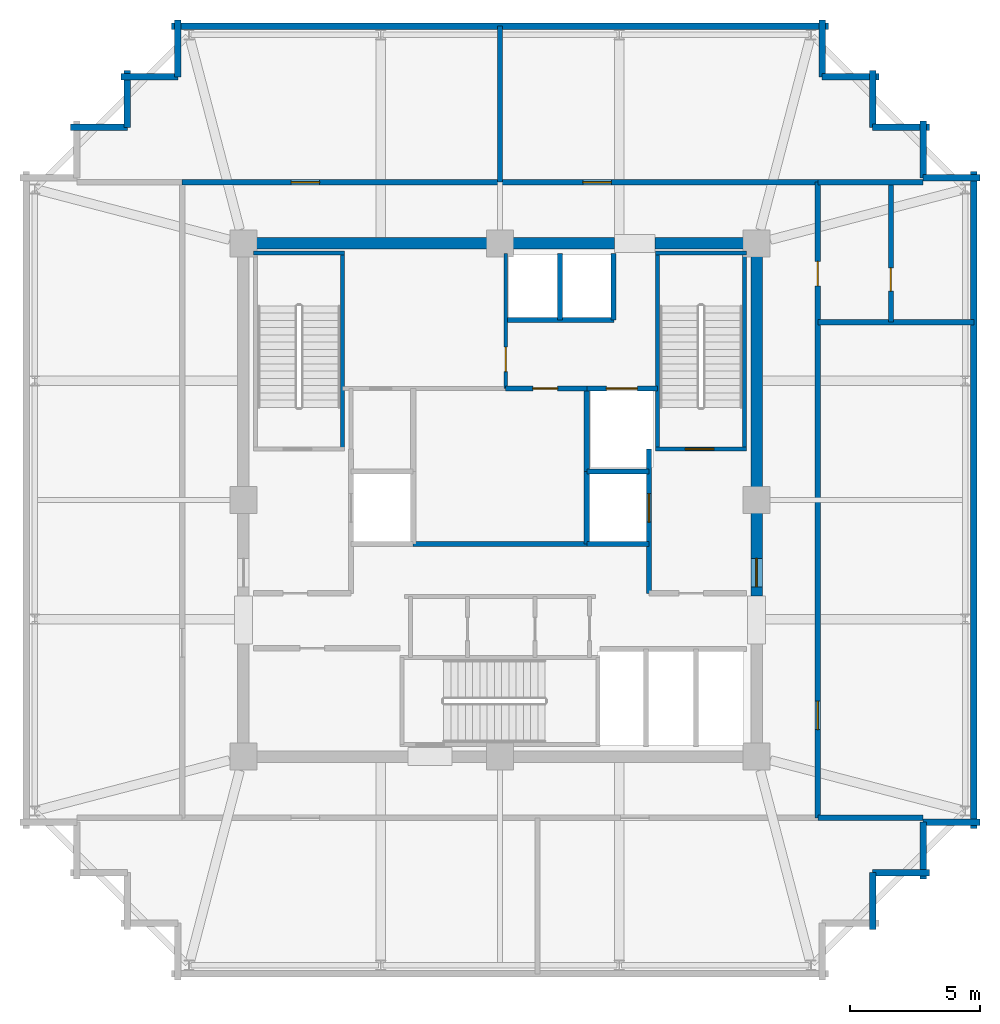
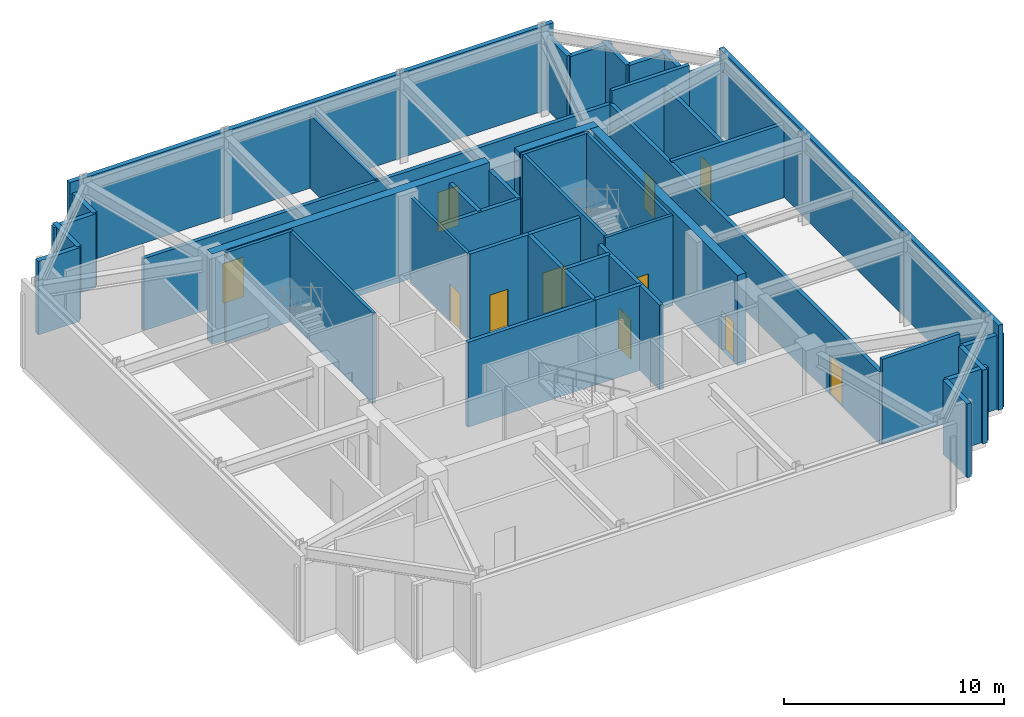
# One storey, part 3 of 5: 44 walls, 11 doors, 11 openings.
"""IFC4 building model written with IfcOpenShell, lengths in metres."""

from ifc_helpers import new_model, si_unit, direction, frame, frame_2d, origin, place, context, subcontext, project, spatial, rectangle, extrude, material, layer, layer_set, type_object, element, fill, save


model = new_model("IFC4")

# Units and contexts
model_context = context("Model", 3, precision=1e-05, world=origin(), true_north=direction((0.0, 1.0)))
body_context = subcontext(model_context, "Body", "Model", "MODEL_VIEW")
ifc_project = project(units=[si_unit("LENGTHUNIT", "METRE"), si_unit("AREAUNIT", "SQUARE_METRE"), si_unit("VOLUMEUNIT", "CUBIC_METRE"), si_unit("PLANEANGLEUNIT", "RADIAN"), si_unit("MASSUNIT", "GRAM", prefix="KILO")], contexts=[model_context])

# Site, building, storey
site_placement = place(None, origin())
site = spatial("IfcSite", under=ifc_project, at=site_placement, CompositionType="ELEMENT")
building_placement = place(site_placement, origin())
building = spatial("IfcBuilding", under=site, at=building_placement, Name="Kolvaren Belvedere", CompositionType="ELEMENT")
storey_placement = place(building_placement, frame((0.0, 0.0, 272.39990234375)))
storey = spatial("IfcBuildingStorey", under=building, at=storey_placement, Name="L78", CompositionType="ELEMENT", Elevation=272.39990234375)

# Walls
ifc_material_1 = material(Name="Concrete C50/60", Category="concrete")
ifc_layer_1 = layer(ifc_material_1, 0.449951171875)
ifc_layer_set_1 = layer_set([ifc_layer_1], Name="Concrete C50/60")
wall_type_1 = type_object("IfcWallType", Name="CW-CORE-450", PredefinedType="SHEAR", material=ifc_layer_set_1)
wall_1_placement = place(storey_placement, frame((-10.125, 9.89990234375, 0.0), z_axis=(0.0, 0.0, 1.0), x_axis=(1.0, 0.0, 0.0)))
element("IfcWall", 1, at=wall_1_placement, inside=storey, type_object=wall_type_1, Name="L78 North Core Shear Wall 1", PredefinedType="SHEAR", context=body_context, shape_type="SweptSolid", body=[
    extrude(rectangle(XDim=14.544921875, YDim=0.449951171875, at=frame_2d((7.2724609375, 0.0))), origin(), (0.0, 0.0, 1.0), 5.0),
])
wall_2_placement = place(storey_placement, frame((5.97998046875, 9.89990234375, 0.0), z_axis=(0.0, 0.0, 1.0), x_axis=(1.0, 0.0, 0.0)))
element("IfcWall", 2, at=wall_2_placement, inside=storey, type_object=wall_type_1, Name="L78 North Core Shear Wall 2", PredefinedType="SHEAR", context=body_context, shape_type="SweptSolid", body=[
    extrude(rectangle(XDim=4.14501953125, YDim=0.449951171875, at=frame_2d((2.072509765625, 0.0))), origin(), (0.0, 0.0, 1.0), 5.0),
])

# Wall, opening, door
wall_3_placement = place(storey_placement, frame((9.89990234375, -3.699951171875, 0.0), z_axis=(0.0, 0.0, 1.0), x_axis=(0.0, 1.0, 0.0)))
wall_3 = element("IfcWall", 3, at=wall_3_placement, inside=storey, type_object=wall_type_1, Name="L78 East Core Shear Wall 2", PredefinedType="SHEAR", context=body_context, shape_type="SweptSolid", body=[
    extrude(rectangle(XDim=13.375, YDim=0.449951171875, at=frame_2d((6.6875, 0.0))), origin(), (0.0, 0.0, 1.0), 5.0),
])
opening_1_placement = place(wall_3_placement, frame((0.35009765625, 0.0, 0.0)))
opening_1 = element("IfcOpeningElement", 4, at=opening_1_placement, cuts=wall_3, Name="Opening D-FD90", PredefinedType="OPENING", context=body_context, shape_type="SweptSolid", body=[
    extrude(rectangle(XDim=1.10009765625, YDim=2.199951171875, at=frame_2d((0.550048828125, 1.10009765625))), frame((0.0, 0.23486328125, 0.0), z_axis=(0.0, -1.0, 0.0), x_axis=(1.0, 0.0, 0.0)), (0.0, 0.0, 1.0), 0.469970703125),
])
ifc_material_2 = material(Name="Painted hollow stainless steel", Category="steel")
door_type_1 = type_object("IfcDoorType", Name="DR-FD90-1100", OperationType="NOTDEFINED", PredefinedType="DOOR", material=ifc_material_2)
door_1_placement = place(opening_1_placement, origin())
door_1 = element("IfcDoor", 5, at=door_1_placement, inside=storey, type_object=door_type_1, Name="L78 East Firefighting Lobby Fire Door", OperationType="SINGLE_SWING_RIGHT", OverallHeight=2.199951171875, OverallWidth=1.10009765625, PredefinedType="DOOR", context=body_context, shape_type="SweptSolid", body=[
    extrude(rectangle(XDim=1.10009765625, YDim=2.199951171875, at=frame_2d((0.550048828125, 1.10009765625))), frame((0.0, 0.02490234375, 0.0), z_axis=(0.0, -1.0, 0.0), x_axis=(1.0, 0.0, 0.0)), (0.0, 0.0, 1.0), 0.050048828125),
])
fill(opening_1, door_1)

# Walls
ifc_material_3 = material(Name="Concrete C50/60", Category="concrete")
ifc_layer_2 = layer(ifc_material_3, 0.159912109375)
ifc_layer_set_2 = layer_set([ifc_layer_2], Name="Concrete C50/60")
wall_type_2 = type_object("IfcWallType", Name="CW-STAIR-160", PredefinedType="SHEAR", material=ifc_layer_set_2)
wall_4_placement = place(storey_placement, frame((-9.52001953125, 9.530029296875, 0.0), z_axis=(0.0, 0.0, 1.0), x_axis=(1.0, 0.0, 0.0)))
element("IfcWall", 6, at=wall_4_placement, inside=storey, type_object=wall_type_2, Name="L78 Stair ST-1 North Shear Wall", PredefinedType="SHEAR", context=body_context, shape_type="SweptSolid", body=[
    extrude(rectangle(XDim=3.52001953125, YDim=0.159912109375, at=frame_2d((1.760009765625, 0.0))), origin(), (0.0, 0.0, 1.0), 5.0),
])
wall_5_placement = place(storey_placement, frame((-6.080078125, 1.969970703125, 0.0), z_axis=(0.0, 0.0, 1.0), x_axis=(0.0, 1.0, 0.0)))
element("IfcWall", 7, at=wall_5_placement, inside=storey, type_object=wall_type_2, Name="L78 Stair ST-1 East Shear Wall", PredefinedType="SHEAR", context=body_context, shape_type="SweptSolid", body=[
    extrude(rectangle(XDim=7.56005859375, YDim=0.159912109375, at=frame_2d((3.780029296875, 0.0))), origin(), (0.0, 0.0, 1.0), 5.0),
])

# Wall, opening, door
wall_6_placement = place(storey_placement, frame((6.0, 1.969970703125, 0.0), z_axis=(0.0, 0.0, 1.0), x_axis=(1.0, 0.0, 0.0)))
wall_6 = element("IfcWall", 8, at=wall_6_placement, inside=storey, type_object=wall_type_2, Name="L78 Stair ST-2 South Shear Wall", PredefinedType="SHEAR", context=body_context, shape_type="SweptSolid", body=[
    extrude(rectangle(XDim=3.52001953125, YDim=0.159912109375, at=frame_2d((1.760009765625, 0.0))), origin(), (0.0, 0.0, 1.0), 5.0),
])
opening_2_placement = place(wall_6_placement, frame((1.14990234375, 0.0, 0.0)))
opening_2 = element("IfcOpeningElement", 9, at=opening_2_placement, cuts=wall_6, Name="Opening D-FD90", PredefinedType="OPENING", context=body_context, shape_type="SweptSolid", body=[
    extrude(rectangle(XDim=1.10009765625, YDim=2.199951171875, at=frame_2d((0.550048828125, 1.10009765625))), frame((0.0, 0.08984375, 0.0), z_axis=(0.0, -1.0, 0.0), x_axis=(1.0, 0.0, 0.0)), (0.0, 0.0, 1.0), 0.179931640625),
])
door_2_placement = place(opening_2_placement, origin())
door_2 = element("IfcDoor", 10, at=door_2_placement, inside=storey, type_object=door_type_1, Name="L78 Stair ST-2 Fire Door", OperationType="SINGLE_SWING_RIGHT", OverallHeight=2.199951171875, OverallWidth=1.10009765625, PredefinedType="DOOR", context=body_context, shape_type="SweptSolid", body=[
    extrude(rectangle(XDim=1.10009765625, YDim=2.199951171875, at=frame_2d((0.550048828125, 1.10009765625))), frame((0.0, 0.02490234375, 0.0), z_axis=(0.0, -1.0, 0.0), x_axis=(1.0, 0.0, 0.0)), (0.0, 0.0, 1.0), 0.050048828125),
])
fill(opening_2, door_2)

# Walls
wall_7_placement = place(storey_placement, frame((6.0, 9.530029296875, 0.0), z_axis=(0.0, 0.0, 1.0), x_axis=(1.0, 0.0, 0.0)))
element("IfcWall", 11, at=wall_7_placement, inside=storey, type_object=wall_type_2, Name="L78 Stair ST-2 North Shear Wall", PredefinedType="SHEAR", context=body_context, shape_type="SweptSolid", body=[
    extrude(rectangle(XDim=3.52001953125, YDim=0.159912109375, at=frame_2d((1.760009765625, 0.0))), origin(), (0.0, 0.0, 1.0), 5.0),
])
for number, where, z_axis, x_axis, name in (
    (12, (6.080078125, 1.969970703125, 0.0), (0.0, 0.0, 1.0), (0.0, 1.0, 0.0), "L78 Stair ST-2 West Shear Wall"),
    (13, (9.429931640625, 1.969970703125, 0.0), (0.0, 0.0, 1.0), (0.0, 1.0, 0.0), "L78 Stair ST-2 East Shear Wall"),
):
    element("IfcWall", number, at=place(storey_placement, frame(where, z_axis=z_axis, x_axis=x_axis)), inside=storey, type_object=wall_type_2, Name=name, PredefinedType="SHEAR", context=body_context, shape_type="SweptSolid", body=[
        extrude(rectangle(XDim=7.56005859375, YDim=0.159912109375, at=frame_2d((3.780029296875, 0.0))), origin(), (0.0, 0.0, 1.0), 5.0),
    ])
ifc_material_4 = material(Name="Insulated acoustic pale-metal louvre wall", Category="aluminium")
ifc_layer_3 = layer(ifc_material_4, 0.239990234375)
ifc_layer_set_3 = layer_set([ifc_layer_3], Name="Insulated acoustic pale-metal louvre wall")
wall_type_3 = type_object("IfcWallType", Name="WL-LOUV-240", PredefinedType="STANDARD", material=ifc_layer_set_3)
for number, where, z_axis, x_axis, name in (
    (14, (14.3798828125, -14.3798828125, 0.0), (0.0, 0.0, 1.0), (0.0, -1.0, 0.0), "L78 Acoustic Louvre Facade Wall 4"),
    (15, (16.570068359375, -14.3798828125, 0.0), (0.0, 0.0, 1.0), (-1.0, 0.0, 0.0), "L78 Acoustic Louvre Facade Wall 5"),
    (16, (16.330078125, -12.429931640625, 0.0), (0.0, 0.0, 1.0), (0.0, -1.0, 0.0), "L78 Acoustic Louvre Facade Wall 6"),
):
    element("IfcWall", number, at=place(storey_placement, frame(where, z_axis=z_axis, x_axis=x_axis)), inside=storey, type_object=wall_type_3, Name=name, PredefinedType="STANDARD", context=body_context, shape_type="SweptSolid", body=[
        extrude(rectangle(XDim=2.190185546875, YDim=0.239990234375, at=frame_2d((1.09521484375, 0.0))), origin(), (0.0, 0.0, 1.0), 4.0830078125),
    ])
wall_8_placement = place(storey_placement, frame((18.52001953125, -12.429931640625, 0.0), z_axis=(0.0, 0.0, 1.0), x_axis=(-1.0, 0.0, 0.0)))
element("IfcWall", 17, at=wall_8_placement, inside=storey, type_object=wall_type_3, Name="L78 Acoustic Louvre Facade Wall 7", PredefinedType="STANDARD", context=body_context, shape_type="SweptSolid", body=[
    extrude(rectangle(XDim=2.18994140625, YDim=0.239990234375, at=frame_2d((1.094970703125, 0.0))), origin(), (0.0, 0.0, 1.0), 4.0830078125),
])
wall_9_placement = place(storey_placement, frame((18.280029296875, 12.669921875, 0.0), z_axis=(0.0, 0.0, 1.0), x_axis=(0.0, -1.0, 0.0)))
element("IfcWall", 18, at=wall_9_placement, inside=storey, type_object=wall_type_3, Name="L78 Acoustic Louvre Facade Wall 8", PredefinedType="STANDARD", context=body_context, shape_type="SweptSolid", body=[
    extrude(rectangle(XDim=25.33984375, YDim=0.239990234375, at=frame_2d((12.669921875, 0.0))), origin(), (0.0, 0.0, 1.0), 4.7001953125),
])
wall_10_placement = place(storey_placement, frame((16.330078125, 12.429931640625, 0.0), z_axis=(0.0, 0.0, 1.0), x_axis=(1.0, 0.0, 0.0)))
element("IfcWall", 19, at=wall_10_placement, inside=storey, type_object=wall_type_3, Name="L78 Acoustic Louvre Facade Wall 9", PredefinedType="STANDARD", context=body_context, shape_type="SweptSolid", body=[
    extrude(rectangle(XDim=2.18994140625, YDim=0.239990234375, at=frame_2d((1.094970703125, 0.0))), origin(), (0.0, 0.0, 1.0), 4.0830078125),
])
for number, where, z_axis, x_axis, name in (
    (20, (16.330078125, 14.6201171875, 0.0), (0.0, 0.0, 1.0), (0.0, -1.0, 0.0), "L78 Acoustic Louvre Facade Wall 10"),
    (21, (14.3798828125, 14.3798828125, 0.0), (0.0, 0.0, 1.0), (1.0, 0.0, 0.0), "L78 Acoustic Louvre Facade Wall 11"),
    (22, (14.3798828125, 16.570068359375, 0.0), (0.0, 0.0, 1.0), (0.0, -1.0, 0.0), "L78 Acoustic Louvre Facade Wall 12"),
    (23, (12.429931640625, 16.330078125, 0.0), (0.0, 0.0, 1.0), (1.0, 0.0, 0.0), "L78 Acoustic Louvre Facade Wall 13"),
):
    element("IfcWall", number, at=place(storey_placement, frame(where, z_axis=z_axis, x_axis=x_axis)), inside=storey, type_object=wall_type_3, Name=name, PredefinedType="STANDARD", context=body_context, shape_type="SweptSolid", body=[
        extrude(rectangle(XDim=2.190185546875, YDim=0.239990234375, at=frame_2d((1.09521484375, 0.0))), origin(), (0.0, 0.0, 1.0), 4.0830078125),
    ])
wall_11_placement = place(storey_placement, frame((12.429931640625, 18.52001953125, 0.0), z_axis=(0.0, 0.0, 1.0), x_axis=(0.0, -1.0, 0.0)))
element("IfcWall", 24, at=wall_11_placement, inside=storey, type_object=wall_type_3, Name="L78 Acoustic Louvre Facade Wall 14", PredefinedType="STANDARD", context=body_context, shape_type="SweptSolid", body=[
    extrude(rectangle(XDim=2.18994140625, YDim=0.239990234375, at=frame_2d((1.094970703125, 0.0))), origin(), (0.0, 0.0, 1.0), 4.0830078125),
])
wall_12_placement = place(storey_placement, frame((-12.669921875, 18.280029296875, 0.0), z_axis=(0.0, 0.0, 1.0), x_axis=(1.0, 0.0, 0.0)))
element("IfcWall", 25, at=wall_12_placement, inside=storey, type_object=wall_type_3, Name="L78 Acoustic Louvre Facade Wall 15", PredefinedType="STANDARD", context=body_context, shape_type="SweptSolid", body=[
    extrude(rectangle(XDim=25.33984375, YDim=0.239990234375, at=frame_2d((12.669921875, 0.0))), origin(), (0.0, 0.0, 1.0), 4.7001953125),
])
wall_13_placement = place(storey_placement, frame((-12.429931640625, 16.330078125, 0.0), z_axis=(0.0, 0.0, 1.0), x_axis=(0.0, 1.0, 0.0)))
element("IfcWall", 26, at=wall_13_placement, inside=storey, type_object=wall_type_3, Name="L78 Acoustic Louvre Facade Wall 16", PredefinedType="STANDARD", context=body_context, shape_type="SweptSolid", body=[
    extrude(rectangle(XDim=2.18994140625, YDim=0.239990234375, at=frame_2d((1.094970703125, 0.0))), origin(), (0.0, 0.0, 1.0), 4.0830078125),
])
for number, where, z_axis, x_axis, name in (
    (27, (-14.6201171875, 16.330078125, 0.0), (0.0, 0.0, 1.0), (1.0, 0.0, 0.0), "L78 Acoustic Louvre Facade Wall 17"),
    (28, (-14.3798828125, 14.3798828125, 0.0), (0.0, 0.0, 1.0), (0.0, 1.0, 0.0), "L78 Acoustic Louvre Facade Wall 18"),
    (29, (-16.570068359375, 14.3798828125, 0.0), (0.0, 0.0, 1.0), (1.0, 0.0, 0.0), "L78 Acoustic Louvre Facade Wall 19"),
):
    element("IfcWall", number, at=place(storey_placement, frame(where, z_axis=z_axis, x_axis=x_axis)), inside=storey, type_object=wall_type_3, Name=name, PredefinedType="STANDARD", context=body_context, shape_type="SweptSolid", body=[
        extrude(rectangle(XDim=2.190185546875, YDim=0.239990234375, at=frame_2d((1.09521484375, 0.0))), origin(), (0.0, 0.0, 1.0), 4.0830078125),
    ])

# Wall, opening, door
ifc_material_5 = material(Name="Gypsum acoustic partition assembly", Category="gypsum")
ifc_layer_4 = layer(ifc_material_5, 0.14990234375)
ifc_layer_set_4 = layer_set([ifc_layer_4], Name="Gypsum acoustic partition assembly")
wall_type_4 = type_object("IfcWallType", Name="WL-PART-150", PredefinedType="PARTITIONING", material=ifc_layer_set_4)
wall_14_placement = place(storey_placement, frame((0.219970703125, 4.300048828125, 0.0), z_axis=(0.0, 0.0, 1.0), x_axis=(0.0, 1.0, 0.0)))
wall_14 = element("IfcWall", 30, at=wall_14_placement, inside=storey, type_object=wall_type_4, Name="L78 Reclaimed Salon East Wall", PredefinedType="PARTITIONING", context=body_context, shape_type="SweptSolid", body=[
    extrude(rectangle(XDim=5.219970703125, YDim=0.14990234375, at=frame_2d((2.60986328125, 0.0))), origin(), (0.0, 0.0, 1.0), 4.7001953125),
])
opening_3_placement = place(wall_14_placement, frame((0.64990234375, 0.0, 0.0)))
opening_3 = element("IfcOpeningElement", 31, at=opening_3_placement, cuts=wall_14, Name="Opening D-INT95", PredefinedType="OPENING", context=body_context, shape_type="SweptSolid", body=[
    extrude(rectangle(XDim=0.949951171875, YDim=2.06005859375, at=frame_2d((0.47509765625, 1.030029296875))), frame((0.0, 0.0849609375, 0.0), z_axis=(0.0, -1.0, 0.0), x_axis=(1.0, 0.0, 0.0)), (0.0, 0.0, 1.0), 0.169921875),
])
ifc_material_6 = material(Name="Stained Pacific white oak", Category="timber")
door_type_2 = type_object("IfcDoorType", Name="DR-INT-950", OperationType="NOTDEFINED", PredefinedType="DOOR", material=ifc_material_6)
door_3_placement = place(opening_3_placement, origin())
door_3 = element("IfcDoor", 32, at=door_3_placement, inside=storey, type_object=door_type_2, Name="L78 Telemetry & Controls Mechanical Plant Door", OperationType="SINGLE_SWING_LEFT", OverallHeight=2.06005859375, OverallWidth=0.949951171875, PredefinedType="DOOR", context=body_context, shape_type="SweptSolid", body=[
    extrude(rectangle(XDim=0.949951171875, YDim=2.06005859375, at=frame_2d((0.47509765625, 1.030029296875))), frame((0.0, 0.02490234375, 0.0), z_axis=(0.0, -1.0, 0.0), x_axis=(1.0, 0.0, 0.0)), (0.0, 0.0, 1.0), 0.050048828125),
])
fill(opening_3, door_3)

ifc_material_7 = material(Name="Concrete C50/60", Category="concrete")
ifc_layer_5 = layer(ifc_material_7, 0.199951171875)
ifc_layer_set_5 = layer_set([ifc_layer_5], Name="Concrete C50/60")
wall_type_5 = type_object("IfcWallType", Name="WL-SHAFT-200", PredefinedType="SOLIDWALL", material=ifc_layer_set_5)
wall_15_placement = place(storey_placement, frame((5.75, -3.60009765625, 0.0), z_axis=(0.0, 0.0, 1.0), x_axis=(0.0, 1.0, 0.0)))
wall_15 = element("IfcWall", 33, at=wall_15_placement, inside=storey, type_object=wall_type_5, Name="L78 FSAE FS2 Landing Wall", PredefinedType="SOLIDWALL", context=body_context, shape_type="SweptSolid", body=[
    extrude(rectangle(XDim=5.570068359375, YDim=0.199951171875, at=frame_2d((2.78515625, 0.0))), origin(), (0.0, 0.0, 1.0), 4.7001953125),
])
opening_4_placement = place(wall_15_placement, frame((2.75, 0.0, 0.0)))
opening_4 = element("IfcOpeningElement", 34, at=opening_4_placement, cuts=wall_15, Name="Opening LD-11", PredefinedType="OPENING", context=body_context, shape_type="SweptSolid", body=[
    extrude(rectangle(XDim=1.10009765625, YDim=2.199951171875, at=frame_2d((0.550048828125, 1.10009765625))), frame((0.0, 0.10986328125, 0.0), z_axis=(0.0, -1.0, 0.0), x_axis=(1.0, 0.0, 0.0)), (0.0, 0.0, 1.0), 0.219970703125),
])
ifc_material_8 = material(Name="Brushed stainless steel", Category="steel")
door_type_3 = type_object("IfcDoorType", Name="DR-LIFT-1100", OperationType="DOUBLE_DOOR_SLIDING", PredefinedType="DOOR", material=ifc_material_8)
door_4_placement = place(opening_4_placement, origin())
door_4 = element("IfcDoor", 35, at=door_4_placement, inside=storey, type_object=door_type_3, Name="L78 Firefighting Lift FS2 Landing Door", OperationType="DOUBLE_DOOR_SLIDING", OverallHeight=2.199951171875, OverallWidth=1.10009765625, PredefinedType="DOOR", context=body_context, shape_type="SweptSolid", body=[
    extrude(rectangle(XDim=1.10009765625, YDim=2.199951171875, at=frame_2d((0.550048828125, 1.10009765625))), frame((0.0, 0.02490234375, 0.0), z_axis=(0.0, -1.0, 0.0), x_axis=(1.0, 0.0, 0.0)), (0.0, 0.0, 1.0), 0.050048828125),
])
fill(opening_4, door_4)

# Walls
wall_16_placement = place(storey_placement, frame((3.35009765625, -1.699951171875, 0.0), z_axis=(0.0, 0.0, 1.0), x_axis=(0.0, 1.0, 0.0)))
element("IfcWall", 36, at=wall_16_placement, inside=storey, type_object=wall_type_5, Name="L78 FSAE FS2 Back Wall", PredefinedType="SOLIDWALL", context=body_context, shape_type="SweptSolid", body=[
    extrude(rectangle(XDim=2.800048828125, YDim=0.199951171875, at=frame_2d((1.39990234375, 0.0))), origin(), (0.0, 0.0, 1.0), 4.7001953125),
])
for number, where, z_axis, x_axis, name in (
    (37, (3.35009765625, -1.699951171875, 0.0), (0.0, 0.0, 1.0), (1.0, 0.0, 0.0), "L78 FSAE FS2 South Wall"),
    (38, (3.35009765625, 1.10009765625, 0.0), (0.0, 0.0, 1.0), (1.0, 0.0, 0.0), "L78 FSAE FS2 North Wall"),
):
    element("IfcWall", number, at=place(storey_placement, frame(where, z_axis=z_axis, x_axis=x_axis)), inside=storey, type_object=wall_type_5, Name=name, PredefinedType="SOLIDWALL", context=body_context, shape_type="SweptSolid", body=[
        extrude(rectangle(XDim=2.39990234375, YDim=0.199951171875, at=frame_2d((1.199951171875, 0.0))), origin(), (0.0, 0.0, 1.0), 4.7001953125),
    ])

# Wall, opening, door
wall_17_placement = place(storey_placement, frame((3.35009765625, 4.300048828125, 0.0), z_axis=(0.0, 0.0, 1.0), x_axis=(1.0, 0.0, 0.0)))
wall_17 = element("IfcWall", 39, at=wall_17_placement, inside=storey, type_object=wall_type_5, Name="L78 Service Lift SV1 Front Wall", PredefinedType="SOLIDWALL", context=body_context, shape_type="SweptSolid", body=[
    extrude(rectangle(XDim=2.72998046875, YDim=0.199951171875, at=frame_2d((1.364990234375, 0.0))), origin(), (0.0, 0.0, 1.0), 4.7001953125),
])
opening_5_placement = place(wall_17_placement, frame((0.75, 0.0, 0.0)))
opening_5 = element("IfcOpeningElement", 40, at=opening_5_placement, cuts=wall_17, Name="Opening LD-12", PredefinedType="OPENING", context=body_context, shape_type="SweptSolid", body=[
    extrude(rectangle(XDim=1.199951171875, YDim=2.25, at=frame_2d((0.60009765625, 1.125))), frame((0.0, 0.10986328125, 0.0), z_axis=(0.0, -1.0, 0.0), x_axis=(1.0, 0.0, 0.0)), (0.0, 0.0, 1.0), 0.219970703125),
])
ifc_material_9 = material(Name="Brushed stainless steel", Category="steel")
door_type_4 = type_object("IfcDoorType", Name="DR-LIFT-1200", OperationType="DOUBLE_DOOR_SLIDING", PredefinedType="DOOR", material=ifc_material_9)
door_5_placement = place(opening_5_placement, origin())
door_5 = element("IfcDoor", 41, at=door_5_placement, inside=storey, type_object=door_type_4, Name="L78 Service Lift SV1 Landing Door", OperationType="DOUBLE_DOOR_SLIDING", OverallHeight=2.25, OverallWidth=1.199951171875, PredefinedType="DOOR", context=body_context, shape_type="SweptSolid", body=[
    extrude(rectangle(XDim=1.199951171875, YDim=2.25, at=frame_2d((0.60009765625, 1.125))), frame((0.0, 0.02490234375, 0.0), z_axis=(0.0, -1.0, 0.0), x_axis=(1.0, 0.0, 0.0)), (0.0, 0.0, 1.0), 0.050048828125),
])
fill(opening_5, door_5)

# Walls
wall_18_placement = place(storey_placement, frame((0.219970703125, 6.949951171875, 0.0), z_axis=(0.0, 0.0, 1.0), x_axis=(1.0, 0.0, 0.0)))
element("IfcWall", 42, at=wall_18_placement, inside=storey, type_object=wall_type_5, Name="L78 Express Shuttle Hoistway Wall", PredefinedType="SOLIDWALL", context=body_context, shape_type="SweptSolid", body=[
    extrude(rectangle(XDim=4.179931640625, YDim=0.199951171875, at=frame_2d((2.08984375, 0.0))), origin(), (0.0, 0.0, 1.0), 4.7001953125),
])
for number, where, z_axis, x_axis, name in (
    (43, (4.3798828125, 6.949951171875, 0.0), (0.0, 0.0, 1.0), (0.0, 1.0, 0.0), "L78 Express Shuttle East Wall"),
    (44, (2.31005859375, 6.949951171875, 0.0), (0.0, 0.0, 1.0), (0.0, 1.0, 0.0), "L78 Express Shuttle Divider"),
):
    element("IfcWall", number, at=place(storey_placement, frame(where, z_axis=z_axis, x_axis=x_axis)), inside=storey, type_object=wall_type_5, Name=name, PredefinedType="SOLIDWALL", context=body_context, shape_type="SweptSolid", body=[
        extrude(rectangle(XDim=2.570068359375, YDim=0.199951171875, at=frame_2d((1.28515625, 0.0))), origin(), (0.0, 0.0, 1.0), 4.7001953125),
    ])

# Wall, opening, door
wall_19_placement = place(storey_placement, frame((0.219970703125, 4.300048828125, 0.0), z_axis=(0.0, 0.0, 1.0), x_axis=(1.0, 0.0, 0.0)))
wall_19 = element("IfcWall", 45, at=wall_19_placement, inside=storey, type_object=wall_type_5, Name="L78 Central Core Room North Wall", PredefinedType="SOLIDWALL", context=body_context, shape_type="SweptSolid", body=[
    extrude(rectangle(XDim=3.130126953125, YDim=0.199951171875, at=frame_2d((1.56494140625, 0.0))), origin(), (0.0, 0.0, 1.0), 4.7001953125),
])
opening_6_placement = place(wall_19_placement, frame((1.050048828125, 0.0, 0.0)))
opening_6 = element("IfcOpeningElement", 46, at=opening_6_placement, cuts=wall_19, Name="Opening D-FD60", PredefinedType="OPENING", context=body_context, shape_type="SweptSolid", body=[
    extrude(rectangle(XDim=0.949951171875, YDim=2.06005859375, at=frame_2d((0.47509765625, 1.030029296875))), frame((0.0, 0.10986328125, 0.0), z_axis=(0.0, -1.0, 0.0), x_axis=(1.0, 0.0, 0.0)), (0.0, 0.0, 1.0), 0.219970703125),
])
ifc_material_10 = material(Name="Acoustic white-oak fire door leaf", Category="timber")
door_type_5 = type_object("IfcDoorType", Name="DR-FD60-950", OperationType="NOTDEFINED", PredefinedType="DOOR", material=ifc_material_10)
door_6_placement = place(opening_6_placement, origin())
door_6 = element("IfcDoor", 47, at=door_6_placement, inside=storey, type_object=door_type_5, Name="L78 Central Core Controls Door", OperationType="SINGLE_SWING_LEFT", OverallHeight=2.06005859375, OverallWidth=0.949951171875, PredefinedType="DOOR", context=body_context, shape_type="SweptSolid", body=[
    extrude(rectangle(XDim=0.949951171875, YDim=2.06005859375, at=frame_2d((0.47509765625, 1.030029296875))), frame((0.0, 0.02490234375, 0.0), z_axis=(0.0, -1.0, 0.0), x_axis=(1.0, 0.0, 0.0)), (0.0, 0.0, 1.0), 0.050048828125),
])
fill(opening_6, door_6)

# Walls
wall_20_placement = place(storey_placement, frame((-3.35009765625, -1.699951171875, 0.0), z_axis=(0.0, 0.0, 1.0), x_axis=(1.0, 0.0, 0.0)))
element("IfcWall", 48, at=wall_20_placement, inside=storey, type_object=wall_type_5, Name="L78 Central Core Room South Wall", PredefinedType="SOLIDWALL", context=body_context, shape_type="SweptSolid", body=[
    extrude(rectangle(XDim=6.7001953125, YDim=0.199951171875, at=frame_2d((3.35009765625, 0.0))), origin(), (0.0, 0.0, 1.0), 4.7001953125),
])
wall_21_placement = place(storey_placement, frame((3.35009765625, 1.10009765625, 0.0), z_axis=(0.0, 0.0, 1.0), x_axis=(0.0, 1.0, 0.0)))
element("IfcWall", 49, at=wall_21_placement, inside=storey, type_object=wall_type_5, Name="L78 Central Core Room East Wall", PredefinedType="SOLIDWALL", context=body_context, shape_type="SweptSolid", body=[
    extrude(rectangle(XDim=3.199951171875, YDim=0.199951171875, at=frame_2d((1.60009765625, 0.0))), origin(), (0.0, 0.0, 1.0), 4.7001953125),
])

# Wall, openings, doors
wall_22_placement = place(storey_placement, frame((-12.260009765625, 12.260009765625, 0.0), z_axis=(0.0, 0.0, 1.0), x_axis=(1.0, 0.0, 0.0)))
wall_22 = element("IfcWall", 50, at=wall_22_placement, inside=storey, type_object=wall_type_5, Name="L78 North Corridor Wall", PredefinedType="SOLIDWALL", context=body_context, shape_type="SweptSolid", body=[
    extrude(rectangle(XDim=24.52001953125, YDim=0.199951171875, at=frame_2d((12.260009765625, 0.0))), origin(), (0.0, 0.0, 1.0), 3.989013671875),
])
opening_7_placement = place(wall_22_placement, frame((4.199951171875, 0.0, 0.0)))
opening_7 = element("IfcOpeningElement", 51, at=opening_7_placement, cuts=wall_22, Name="Opening D-FD90", PredefinedType="OPENING", context=body_context, shape_type="SweptSolid", body=[
    extrude(rectangle(XDim=1.10009765625, YDim=2.199951171875, at=frame_2d((0.550048828125, 1.10009765625))), frame((0.0, 0.10986328125, 0.0), z_axis=(0.0, -1.0, 0.0), x_axis=(1.0, 0.0, 0.0)), (0.0, 0.0, 1.0), 0.219970703125),
])
opening_8_placement = place(wall_22_placement, frame((15.4599609375, 0.0, 0.0)))
opening_8 = element("IfcOpeningElement", 52, at=opening_8_placement, cuts=wall_22, Name="Opening D-FD90", PredefinedType="OPENING", context=body_context, shape_type="SweptSolid", body=[
    extrude(rectangle(XDim=1.10009765625, YDim=2.199951171875, at=frame_2d((0.550048828125, 1.10009765625))), frame((0.0, 0.10986328125, 0.0), z_axis=(0.0, -1.0, 0.0), x_axis=(1.0, 0.0, 0.0)), (0.0, 0.0, 1.0), 0.219970703125),
])
door_7_placement = place(opening_7_placement, origin())
door_7 = element("IfcDoor", 53, at=door_7_placement, inside=storey, type_object=door_type_1, Name="L78 Kitchen Scrubber Exhaust Mechanical Plant Door", OperationType="SINGLE_SWING_RIGHT", OverallHeight=2.199951171875, OverallWidth=1.10009765625, PredefinedType="DOOR", context=body_context, shape_type="SweptSolid", body=[
    extrude(rectangle(XDim=1.10009765625, YDim=2.199951171875, at=frame_2d((0.550048828125, 1.10009765625))), frame((0.0, 0.02490234375, 0.0), z_axis=(0.0, -1.0, 0.0), x_axis=(1.0, 0.0, 0.0)), (0.0, 0.0, 1.0), 0.050048828125),
])
fill(opening_7, door_7)
door_8_placement = place(opening_8_placement, origin())
door_8 = element("IfcDoor", 54, at=door_8_placement, inside=storey, type_object=door_type_1, Name="L78 Auxiliary Controls Mechanical Plant Door", OperationType="SINGLE_SWING_LEFT", OverallHeight=2.199951171875, OverallWidth=1.10009765625, PredefinedType="DOOR", context=body_context, shape_type="SweptSolid", body=[
    extrude(rectangle(XDim=1.10009765625, YDim=2.199951171875, at=frame_2d((0.550048828125, 1.10009765625))), frame((0.0, 0.02490234375, 0.0), z_axis=(0.0, -1.0, 0.0), x_axis=(1.0, 0.0, 0.0)), (0.0, 0.0, 1.0), 0.050048828125),
])
fill(opening_8, door_8)

wall_23_placement = place(storey_placement, frame((12.260009765625, -12.260009765625, 0.0), z_axis=(0.0, 0.0, 1.0), x_axis=(0.0, 1.0, 0.0)))
wall_23 = element("IfcWall", 55, at=wall_23_placement, inside=storey, type_object=wall_type_5, Name="L78 East Corridor Wall", PredefinedType="SOLIDWALL", context=body_context, shape_type="SweptSolid", body=[
    extrude(rectangle(XDim=24.52001953125, YDim=0.199951171875, at=frame_2d((12.260009765625, 0.0))), origin(), (0.0, 0.0, 1.0), 3.989013671875),
])
opening_9_placement = place(wall_23_placement, frame((3.39990234375, 0.0, 0.0)))
opening_9 = element("IfcOpeningElement", 56, at=opening_9_placement, cuts=wall_23, Name="Opening D-FD90", PredefinedType="OPENING", context=body_context, shape_type="SweptSolid", body=[
    extrude(rectangle(XDim=1.10009765625, YDim=2.199951171875, at=frame_2d((0.550048828125, 1.10009765625))), frame((0.0, 0.10986328125, 0.0), z_axis=(0.0, -1.0, 0.0), x_axis=(1.0, 0.0, 0.0)), (0.0, 0.0, 1.0), 0.219970703125),
])
opening_10_placement = place(wall_23_placement, frame((20.52001953125, 0.0, 0.0)))
opening_10 = element("IfcOpeningElement", 57, at=opening_10_placement, cuts=wall_23, Name="Opening D-INT95", PredefinedType="OPENING", context=body_context, shape_type="SweptSolid", body=[
    extrude(rectangle(XDim=0.949951171875, YDim=2.06005859375, at=frame_2d((0.47509765625, 1.030029296875))), frame((0.0, 0.10986328125, 0.0), z_axis=(0.0, -1.0, 0.0), x_axis=(1.0, 0.0, 0.0)), (0.0, 0.0, 1.0), 0.219970703125),
])
door_9_placement = place(opening_9_placement, origin())
door_9 = element("IfcDoor", 58, at=door_9_placement, inside=storey, type_object=door_type_1, Name="L78 Crown Switchboard Mechanical Plant Door", OperationType="SINGLE_SWING_RIGHT", OverallHeight=2.199951171875, OverallWidth=1.10009765625, PredefinedType="DOOR", context=body_context, shape_type="SweptSolid", body=[
    extrude(rectangle(XDim=1.10009765625, YDim=2.199951171875, at=frame_2d((0.550048828125, 1.10009765625))), frame((0.0, 0.02490234375, 0.0), z_axis=(0.0, -1.0, 0.0), x_axis=(1.0, 0.0, 0.0)), (0.0, 0.0, 1.0), 0.050048828125),
])
fill(opening_9, door_9)
door_10_placement = place(opening_10_placement, origin())
door_10 = element("IfcDoor", 59, at=door_10_placement, inside=storey, type_object=door_type_2, Name="L78 Staff Accessible Washroom Door", OperationType="SINGLE_SWING_LEFT", OverallHeight=2.06005859375, OverallWidth=0.949951171875, PredefinedType="DOOR", context=body_context, shape_type="SweptSolid", body=[
    extrude(rectangle(XDim=0.949951171875, YDim=2.06005859375, at=frame_2d((0.47509765625, 1.030029296875))), frame((0.0, 0.02490234375, 0.0), z_axis=(0.0, -1.0, 0.0), x_axis=(1.0, 0.0, 0.0)), (0.0, 0.0, 1.0), 0.050048828125),
])
fill(opening_10, door_10)

# Walls
for number, where, z_axis, x_axis, name in (
    (60, (12.260009765625, -12.260009765625, 0.0), (0.0, 0.0, 1.0), (1.0, 0.0, 0.0), "L78 Sector Wall PW-L78-QSE"),
    (61, (12.260009765625, 12.260009765625, 0.0), (0.0, 0.0, 1.0), (1.0, 0.0, 0.0), "L78 Sector Wall PW-L78-QNE"),
):
    element("IfcWall", number, at=place(storey_placement, frame(where, z_axis=z_axis, x_axis=x_axis)), inside=storey, type_object=wall_type_5, Name=name, PredefinedType="SOLIDWALL", context=body_context, shape_type="SweptSolid", body=[
        extrude(rectangle(XDim=4.06005859375, YDim=0.199951171875, at=frame_2d((2.030029296875, 0.0))), origin(), (0.0, 0.0, 1.0), 4.7001953125),
    ])
wall_24_placement = place(storey_placement, frame((12.260009765625, 6.860107421875, 0.0), z_axis=(0.0, 0.0, 1.0), x_axis=(1.0, 0.0, 0.0)))
element("IfcWall", 62, at=wall_24_placement, inside=storey, type_object=wall_type_5, Name="L78 East Plant WC Wall", PredefinedType="SOLIDWALL", context=body_context, shape_type="SweptSolid", body=[
    extrude(rectangle(XDim=6.02001953125, YDim=0.199951171875, at=frame_2d((3.010009765625, 0.0))), origin(), (0.0, 0.0, 1.0), 4.072998046875),
])

# Wall, opening, door
wall_25_placement = place(storey_placement, frame((15.080078125, 6.860107421875, 0.0), z_axis=(0.0, 0.0, 1.0), x_axis=(0.0, 1.0, 0.0)))
wall_25 = element("IfcWall", 63, at=wall_25_placement, inside=storey, type_object=wall_type_5, Name="L78 Staff WC Back Wall", PredefinedType="SOLIDWALL", context=body_context, shape_type="SweptSolid", body=[
    extrude(rectangle(XDim=5.39990234375, YDim=0.199951171875, at=frame_2d((2.699951171875, 0.0))), origin(), (0.0, 0.0, 1.0), 3.989013671875),
])
opening_11_placement = place(wall_25_placement, frame((1.199951171875, 0.0, 0.0)))
opening_11 = element("IfcOpeningElement", 64, at=opening_11_placement, cuts=wall_25, Name="Opening D-INT90", PredefinedType="OPENING", context=body_context, shape_type="SweptSolid", body=[
    extrude(rectangle(XDim=0.89990234375, YDim=2.06005859375, at=frame_2d((0.449951171875, 1.030029296875))), frame((0.0, 0.10986328125, 0.0), z_axis=(0.0, -1.0, 0.0), x_axis=(1.0, 0.0, 0.0)), (0.0, 0.0, 1.0), 0.219970703125),
])
ifc_material_11 = material(Name="Stained Pacific white oak", Category="timber")
door_type_6 = type_object("IfcDoorType", Name="DR-INT-900", OperationType="NOTDEFINED", PredefinedType="DOOR", material=ifc_material_11)
door_11_placement = place(opening_11_placement, origin())
door_11 = element("IfcDoor", 65, at=door_11_placement, inside=storey, type_object=door_type_6, Name="L78 Facade BMU Hoist Mechanical Plant Door", OperationType="SINGLE_SWING_RIGHT", OverallHeight=2.06005859375, OverallWidth=0.89990234375, PredefinedType="DOOR", context=body_context, shape_type="SweptSolid", body=[
    extrude(rectangle(XDim=0.89990234375, YDim=2.06005859375, at=frame_2d((0.449951171875, 1.030029296875))), frame((0.0, 0.02490234375, 0.0), z_axis=(0.0, -1.0, 0.0), x_axis=(1.0, 0.0, 0.0)), (0.0, 0.0, 1.0), 0.050048828125),
])
fill(opening_11, door_11)

# Wall
wall_26_placement = place(storey_placement, frame((0.0, 12.260009765625, 0.0), z_axis=(0.0, 0.0, 1.0), x_axis=(0.0, 1.0, 0.0)))
element("IfcWall", 66, at=wall_26_placement, inside=storey, type_object=wall_type_5, Name="L78 North Plant Divider", PredefinedType="SOLIDWALL", context=body_context, shape_type="SweptSolid", body=[
    extrude(rectangle(XDim=6.02001953125, YDim=0.199951171875, at=frame_2d((3.010009765625, 0.0))), origin(), (0.0, 0.0, 1.0), 4.072998046875),
])

save(model, "model.ifc")
